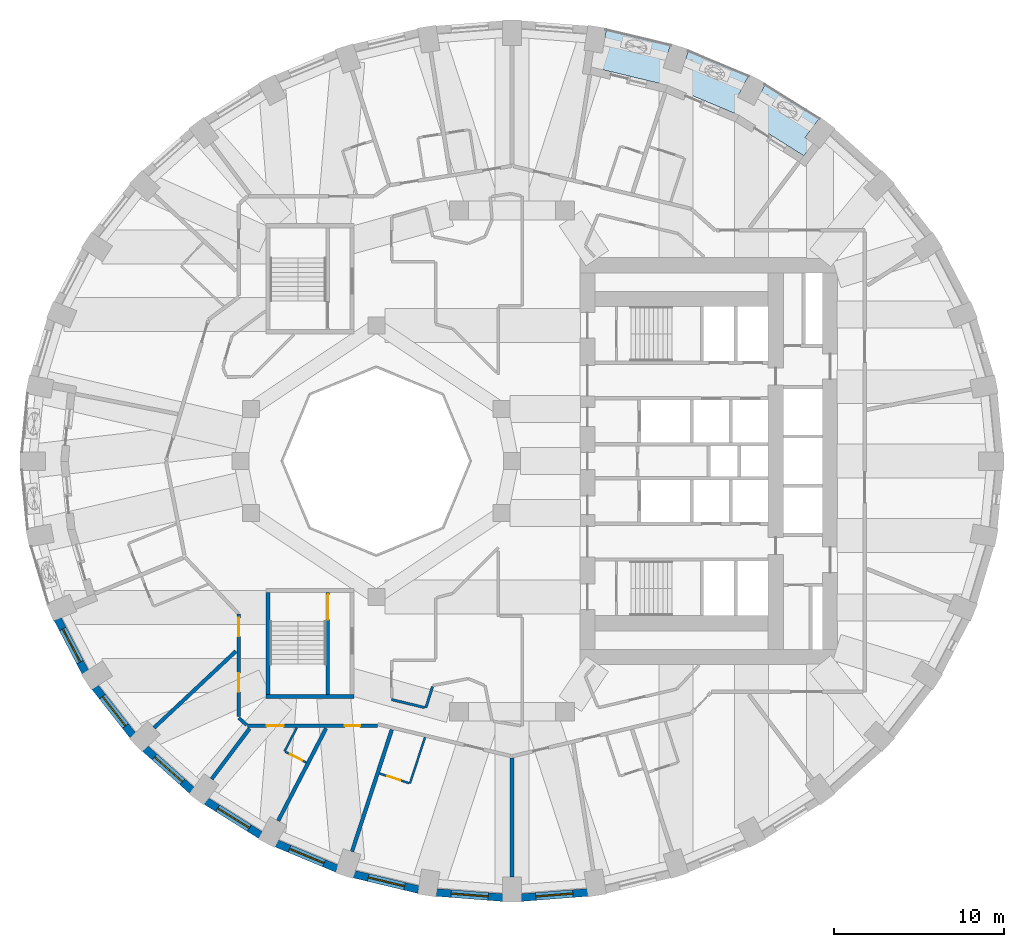
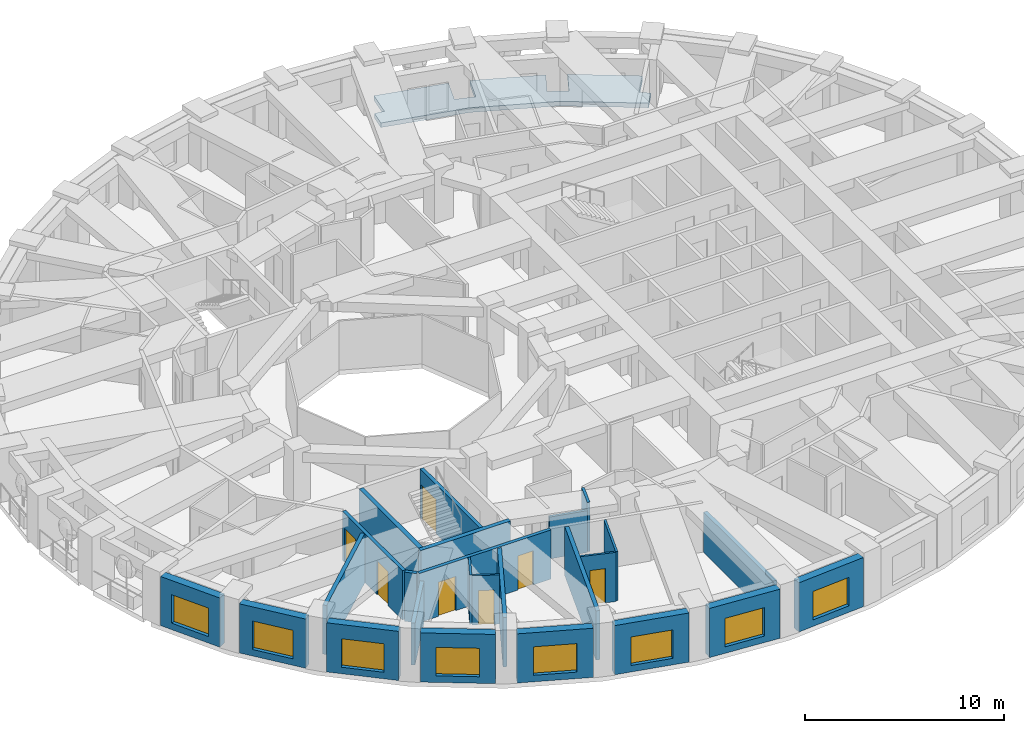
# One storey, part 3 of 14: 25 walls, 8 windows, 7 doors, 1 slab, 15 openings.
"""IFC4 building model written with IfcOpenShell, lengths in metres."""

from ifc_helpers import new_model, si_unit, direction, frame, frame_2d, origin, place, context, subcontext, project, spatial, polyline, rectangle, outline, extrude, material, layer, layer_set, type_object, element, fill, save


model = new_model("IFC4")

# Units and contexts
model_context = context("Model", 3, precision=1e-05, world=origin(), true_north=direction((0.0, 1.0)))
body_context = subcontext(model_context, "Body", "Model", "MODEL_VIEW")
ifc_project = project(units=[si_unit("LENGTHUNIT", "METRE"), si_unit("AREAUNIT", "SQUARE_METRE"), si_unit("VOLUMEUNIT", "CUBIC_METRE"), si_unit("PLANEANGLEUNIT", "RADIAN"), si_unit("MASSUNIT", "GRAM", prefix="KILO")], contexts=[model_context])

# Site, building, storey
site_placement = place(None, origin())
site = spatial("IfcSite", under=ifc_project, at=site_placement, CompositionType="ELEMENT")
building_placement = place(site_placement, origin())
building = spatial("IfcBuilding", under=site, at=building_placement, Name="Taillehof Tower", CompositionType="ELEMENT")
storey_placement = place(building_placement, frame((0.0, 0.0, 25.0)))
storey = spatial("IfcBuildingStorey", under=building, at=storey_placement, Name="L05", CompositionType="ELEMENT", Elevation=25.0)

# Slab
ifc_material_1 = material(Name="Concrete C40/50", Category="concrete")
ifc_layer_1 = layer(ifc_material_1, 0.280029296875)
ifc_layer_set_1 = layer_set([ifc_layer_1], Name="Balcony slab 280")
slab_type = type_object("IfcSlabType", Name="Balcony slab 280", PredefinedType="USERDEFINED", material=ifc_layer_set_1)
slab_placement = place(storey_placement, frame((0.0, 0.0, -0.280029296875)))
element("IfcSlab", 1, at=slab_placement, inside=storey, type_object=slab_type, Name="Balcony L05 pocket 1", ObjectType="BALCONY", PredefinedType="USERDEFINED", context=body_context, shape_type="SweptSolid", body=[
    extrude(outline(polyline([(4.6611328125, 23.234375), (4.801513671875, 24.12353515625), (5.331787109375, 24.039794921875), (5.559326171875, 25.479248046875), (9.357421875, 24.56689453125), (8.906494140625, 23.184814453125), (9.9521484375, 22.843505859375), (10.404296875, 24.22900390625), (13.958984375, 22.742919921875), (13.291748046875, 21.453857421875), (14.2685546875, 20.9482421875), (14.938232421875, 22.24169921875), (18.139404296875, 20.23193359375), (17.268310546875, 19.073974609375), (17.73974609375, 18.71923828125), (17.197998046875, 17.999267578125), (13.396728515625, 20.38525390625), (9.174072265625, 22.150390625), (4.6611328125, 23.234375)])), origin(), (0.0, 0.0, 1.0), 0.280029296875),
])

# Wall, opening, window
ifc_material_2 = material(Name="Brick masonry", Category="masonry")
ifc_layer_2 = layer(ifc_material_2, 0.449951171875)
ifc_layer_set_2 = layer_set([ifc_layer_2], Name="Brick infill wall 450")
wall_type_1 = type_object("IfcWallType", Name="Brick infill wall 450", PredefinedType="SOLIDWALL", material=ifc_layer_set_2)
wall_1_placement = place(storey_placement, frame((-26.78564453125, -9.30517578125, 0.0), z_axis=(0.0, 0.0, 1.0), x_axis=(0.462492775226, -0.886623050041, 0.0)))
wall_1 = element("IfcWall", 2, at=wall_1_placement, inside=storey, type_object=wall_type_1, Name="Brick wall L05 bay 21", PredefinedType="SOLIDWALL", context=body_context, shape_type="SweptSolid", body=[
    extrude(rectangle(XDim=3.531982421875, YDim=0.449951171875, at=frame_2d((1.76611328125, 0.0))), origin(), (0.0, 0.0, 1.0), 3.02001953125),
])
opening_1_placement = place(wall_1_placement, frame((0.666015625, 0.0, 0.39990234375)))
opening_1 = element("IfcOpeningElement", 3, at=opening_1_placement, cuts=wall_1, Name="Opening W1", PredefinedType="OPENING", context=body_context, shape_type="SweptSolid", body=[
    extrude(rectangle(XDim=2.199951171875, YDim=1.75, at=frame_2d((1.10009765625, 0.875))), frame((0.0, 0.23486328125, 0.0), z_axis=(0.0, -1.0, 0.0), x_axis=(1.0, 0.0, 0.0)), (0.0, 0.0, 1.0), 0.469970703125),
])
ifc_material_3 = material(Name="Aluminium window frame with clear double glazing", Category="aluminium")
window_type = type_object("IfcWindowType", Name="Deep-set window 2200x1750", PartitioningType="SINGLE_PANEL", PredefinedType="WINDOW", material=ifc_material_3)
window_1_placement = place(opening_1_placement, origin())
window_1 = element("IfcWindow", 4, at=window_1_placement, inside=storey, type_object=window_type, Name="W1", OverallHeight=1.75, OverallWidth=2.199951171875, PartitioningType="SINGLE_PANEL", PredefinedType="WINDOW", context=body_context, shape_type="SweptSolid", body=[
    extrude(rectangle(XDim=2.199951171875, YDim=1.75, at=frame_2d((1.10009765625, 0.875))), frame((0.0, 0.034912109375, 0.0), z_axis=(0.0, -1.0, 0.0), x_axis=(1.0, 0.0, 0.0)), (0.0, 0.0, 1.0), 0.06005859375),
])
fill(opening_1, window_1)

wall_2_placement = place(storey_placement, frame((-24.57763671875, -13.327880859375, 0.0), z_axis=(0.0, 0.0, 1.0), x_axis=(0.616661975264, -0.787228053529, 0.0)))
wall_2 = element("IfcWall", 5, at=wall_2_placement, inside=storey, type_object=wall_type_1, Name="Brick wall L05 bay 22", PredefinedType="SOLIDWALL", context=body_context, shape_type="SweptSolid", body=[
    extrude(rectangle(XDim=3.60986328125, YDim=0.449951171875, at=frame_2d((1.804931640625, 0.0))), origin(), (0.0, 0.0, 1.0), 3.02001953125),
])
opening_2_placement = place(wall_2_placement, frame((0.704833984375, 0.0, 0.39990234375)))
opening_2 = element("IfcOpeningElement", 6, at=opening_2_placement, cuts=wall_2, Name="Opening W1", PredefinedType="OPENING", context=body_context, shape_type="SweptSolid", body=[
    extrude(rectangle(XDim=2.199951171875, YDim=1.75, at=frame_2d((1.10009765625, 0.875))), frame((0.0, 0.23486328125, 0.0), z_axis=(0.0, -1.0, 0.0), x_axis=(1.0, 0.0, 0.0)), (0.0, 0.0, 1.0), 0.469970703125),
])
window_2_placement = place(opening_2_placement, origin())
window_2 = element("IfcWindow", 7, at=window_2_placement, inside=storey, type_object=window_type, Name="W1", OverallHeight=1.75, OverallWidth=2.199951171875, PartitioningType="SINGLE_PANEL", PredefinedType="WINDOW", context=body_context, shape_type="SweptSolid", body=[
    extrude(rectangle(XDim=2.199951171875, YDim=1.75, at=frame_2d((1.10009765625, 0.875))), frame((0.0, 0.034912109375, 0.0), z_axis=(0.0, -1.0, 0.0), x_axis=(1.0, 0.0, 0.0)), (0.0, 0.0, 1.0), 0.06005859375),
])
fill(opening_2, window_2)

wall_3_placement = place(storey_placement, frame((-21.626708984375, -16.943115234375, 0.0), z_axis=(0.0, 0.0, 1.0), x_axis=(0.745526233716, -0.66647628228, 0.0)))
wall_3 = element("IfcWall", 8, at=wall_3_placement, inside=storey, type_object=wall_type_1, Name="Brick wall L05 bay 23", PredefinedType="SOLIDWALL", context=body_context, shape_type="SweptSolid", body=[
    extrude(rectangle(XDim=3.69677734375, YDim=0.449951171875, at=frame_2d((1.848388671875, 0.0))), origin(), (0.0, 0.0, 1.0), 3.02001953125),
])
opening_3_placement = place(wall_3_placement, frame((0.74853515625, 0.0, 0.39990234375)))
opening_3 = element("IfcOpeningElement", 9, at=opening_3_placement, cuts=wall_3, Name="Opening W1", PredefinedType="OPENING", context=body_context, shape_type="SweptSolid", body=[
    extrude(rectangle(XDim=2.199951171875, YDim=1.75, at=frame_2d((1.10009765625, 0.875))), frame((0.0, 0.23486328125, 0.0), z_axis=(0.0, -1.0, 0.0), x_axis=(1.0, 0.0, 0.0)), (0.0, 0.0, 1.0), 0.469970703125),
])
window_3_placement = place(opening_3_placement, origin())
window_3 = element("IfcWindow", 10, at=window_3_placement, inside=storey, type_object=window_type, Name="W1", OverallHeight=1.75, OverallWidth=2.199951171875, PartitioningType="SINGLE_PANEL", PredefinedType="WINDOW", context=body_context, shape_type="SweptSolid", body=[
    extrude(rectangle(XDim=2.199951171875, YDim=1.75, at=frame_2d((1.10009765625, 0.875))), frame((0.0, 0.034912109375, 0.0), z_axis=(0.0, -1.0, 0.0), x_axis=(1.0, 0.0, 0.0)), (0.0, 0.0, 1.0), 0.06005859375),
])
fill(opening_3, window_3)

wall_4_placement = place(storey_placement, frame((-18.02294921875, -20.043701171875, 0.0), z_axis=(0.0, 0.0, 1.0), x_axis=(0.847635480093, -0.530579016629, 0.0)))
wall_4 = element("IfcWall", 11, at=wall_4_placement, inside=storey, type_object=wall_type_1, Name="Brick wall L05 bay 24", PredefinedType="SOLIDWALL", context=body_context, shape_type="SweptSolid", body=[
    extrude(rectangle(XDim=3.782470703125, YDim=0.449951171875, at=frame_2d((1.89111328125, 0.0))), origin(), (0.0, 0.0, 1.0), 3.02001953125),
])
opening_4_placement = place(wall_4_placement, frame((0.791259765625, 0.0, 0.39990234375)))
opening_4 = element("IfcOpeningElement", 12, at=opening_4_placement, cuts=wall_4, Name="Opening W1", PredefinedType="OPENING", context=body_context, shape_type="SweptSolid", body=[
    extrude(rectangle(XDim=2.199951171875, YDim=1.75, at=frame_2d((1.10009765625, 0.875))), frame((0.0, 0.23486328125, 0.0), z_axis=(0.0, -1.0, 0.0), x_axis=(1.0, 0.0, 0.0)), (0.0, 0.0, 1.0), 0.469970703125),
])
window_4_placement = place(opening_4_placement, origin())
window_4 = element("IfcWindow", 13, at=window_4_placement, inside=storey, type_object=window_type, Name="W1", OverallHeight=1.75, OverallWidth=2.199951171875, PartitioningType="SINGLE_PANEL", PredefinedType="WINDOW", context=body_context, shape_type="SweptSolid", body=[
    extrude(rectangle(XDim=2.199951171875, YDim=1.75, at=frame_2d((1.10009765625, 0.875))), frame((0.0, 0.034912109375, 0.0), z_axis=(0.0, -1.0, 0.0), x_axis=(1.0, 0.0, 0.0)), (0.0, 0.0, 1.0), 0.06005859375),
])
fill(opening_4, window_4)

wall_5_placement = place(storey_placement, frame((-13.875, -22.537353515625, 0.0), z_axis=(0.0, 0.0, 1.0), x_axis=(0.923031964282, -0.384723267966, 0.0)))
wall_5 = element("IfcWall", 14, at=wall_5_placement, inside=storey, type_object=wall_type_1, Name="Brick wall L05 bay 25", PredefinedType="SOLIDWALL", context=body_context, shape_type="SweptSolid", body=[
    extrude(rectangle(XDim=3.8564453125, YDim=0.449951171875, at=frame_2d((1.92822265625, 0.0))), origin(), (0.0, 0.0, 1.0), 3.02001953125),
])
opening_5_placement = place(wall_5_placement, frame((0.828125, 0.0, 0.39990234375)))
opening_5 = element("IfcOpeningElement", 15, at=opening_5_placement, cuts=wall_5, Name="Opening W1", PredefinedType="OPENING", context=body_context, shape_type="SweptSolid", body=[
    extrude(rectangle(XDim=2.199951171875, YDim=1.75, at=frame_2d((1.10009765625, 0.875))), frame((0.0, 0.23486328125, 0.0), z_axis=(0.0, -1.0, 0.0), x_axis=(1.0, 0.0, 0.0)), (0.0, 0.0, 1.0), 0.469970703125),
])
window_5_placement = place(opening_5_placement, origin())
window_5 = element("IfcWindow", 16, at=window_5_placement, inside=storey, type_object=window_type, Name="W1", OverallHeight=1.75, OverallWidth=2.199951171875, PartitioningType="SINGLE_PANEL", PredefinedType="WINDOW", context=body_context, shape_type="SweptSolid", body=[
    extrude(rectangle(XDim=2.199951171875, YDim=1.75, at=frame_2d((1.10009765625, 0.875))), frame((0.0, 0.034912109375, 0.0), z_axis=(0.0, -1.0, 0.0), x_axis=(1.0, 0.0, 0.0)), (0.0, 0.0, 1.0), 0.06005859375),
])
fill(opening_5, window_5)

wall_6_placement = place(storey_placement, frame((-9.3076171875, -24.349609375, 0.0), z_axis=(0.0, 0.0, 1.0), x_axis=(0.972496561493, -0.232917233979, 0.0)))
wall_6 = element("IfcWall", 17, at=wall_6_placement, inside=storey, type_object=wall_type_1, Name="Brick wall L05 bay 26", PredefinedType="SOLIDWALL", context=body_context, shape_type="SweptSolid", body=[
    extrude(rectangle(XDim=3.910888671875, YDim=0.449951171875, at=frame_2d((1.95556640625, 0.0))), origin(), (0.0, 0.0, 1.0), 3.02001953125),
])
opening_6_placement = place(wall_6_placement, frame((0.855224609375, 0.0, 0.39990234375)))
opening_6 = element("IfcOpeningElement", 18, at=opening_6_placement, cuts=wall_6, Name="Opening W1", PredefinedType="OPENING", context=body_context, shape_type="SweptSolid", body=[
    extrude(rectangle(XDim=2.199951171875, YDim=1.75, at=frame_2d((1.10009765625, 0.875))), frame((0.0, 0.23486328125, 0.0), z_axis=(0.0, -1.0, 0.0), x_axis=(1.0, 0.0, 0.0)), (0.0, 0.0, 1.0), 0.469970703125),
])
window_6_placement = place(opening_6_placement, origin())
window_6 = element("IfcWindow", 19, at=window_6_placement, inside=storey, type_object=window_type, Name="W1", OverallHeight=1.75, OverallWidth=2.199951171875, PartitioningType="SINGLE_PANEL", PredefinedType="WINDOW", context=body_context, shape_type="SweptSolid", body=[
    extrude(rectangle(XDim=2.199951171875, YDim=1.75, at=frame_2d((1.10009765625, 0.875))), frame((0.0, 0.034912109375, 0.0), z_axis=(0.0, -1.0, 0.0), x_axis=(1.0, 0.0, 0.0)), (0.0, 0.0, 1.0), 0.06005859375),
])
fill(opening_6, window_6)

wall_7_placement = place(storey_placement, frame((-4.457275390625, -25.42578125, 0.0), z_axis=(0.0, 0.0, 1.0), x_axis=(0.996955972145, -0.077966592873, 0.0)))
wall_7 = element("IfcWall", 20, at=wall_7_placement, inside=storey, type_object=wall_type_1, Name="Brick wall L05 bay 27", PredefinedType="SOLIDWALL", context=body_context, shape_type="SweptSolid", body=[
    extrude(rectangle(XDim=3.939208984375, YDim=0.449951171875, at=frame_2d((1.9697265625, 0.0))), origin(), (0.0, 0.0, 1.0), 3.02001953125),
])
opening_7_placement = place(wall_7_placement, frame((0.86962890625, 0.0, 0.39990234375)))
opening_7 = element("IfcOpeningElement", 21, at=opening_7_placement, cuts=wall_7, Name="Opening W1", PredefinedType="OPENING", context=body_context, shape_type="SweptSolid", body=[
    extrude(rectangle(XDim=2.199951171875, YDim=1.75, at=frame_2d((1.10009765625, 0.875))), frame((0.0, 0.23486328125, 0.0), z_axis=(0.0, -1.0, 0.0), x_axis=(1.0, 0.0, 0.0)), (0.0, 0.0, 1.0), 0.469970703125),
])
window_7_placement = place(opening_7_placement, origin())
window_7 = element("IfcWindow", 22, at=window_7_placement, inside=storey, type_object=window_type, Name="W1", OverallHeight=1.75, OverallWidth=2.199951171875, PartitioningType="SINGLE_PANEL", PredefinedType="WINDOW", context=body_context, shape_type="SweptSolid", body=[
    extrude(rectangle(XDim=2.199951171875, YDim=1.75, at=frame_2d((1.10009765625, 0.875))), frame((0.0, 0.034912109375, 0.0), z_axis=(0.0, -1.0, 0.0), x_axis=(1.0, 0.0, 0.0)), (0.0, 0.0, 1.0), 0.06005859375),
])
fill(opening_7, window_7)

wall_8_placement = place(storey_placement, frame((0.530029296875, -25.73291015625, 0.0), z_axis=(0.0, 0.0, 1.0), x_axis=(0.996955972145, 0.077966592873, 0.0)))
wall_8 = element("IfcWall", 23, at=wall_8_placement, inside=storey, type_object=wall_type_1, Name="Brick wall L05 bay 28", PredefinedType="SOLIDWALL", context=body_context, shape_type="SweptSolid", body=[
    extrude(rectangle(XDim=3.939208984375, YDim=0.449951171875, at=frame_2d((1.9697265625, 0.0))), origin(), (0.0, 0.0, 1.0), 3.02001953125),
])
opening_8_placement = place(wall_8_placement, frame((0.86962890625, 0.0, 0.39990234375)))
opening_8 = element("IfcOpeningElement", 24, at=opening_8_placement, cuts=wall_8, Name="Opening W1", PredefinedType="OPENING", context=body_context, shape_type="SweptSolid", body=[
    extrude(rectangle(XDim=2.199951171875, YDim=1.75, at=frame_2d((1.10009765625, 0.875))), frame((0.0, 0.23486328125, 0.0), z_axis=(0.0, -1.0, 0.0), x_axis=(1.0, 0.0, 0.0)), (0.0, 0.0, 1.0), 0.469970703125),
])
window_8_placement = place(opening_8_placement, origin())
window_8 = element("IfcWindow", 25, at=window_8_placement, inside=storey, type_object=window_type, Name="W1", OverallHeight=1.75, OverallWidth=2.199951171875, PartitioningType="SINGLE_PANEL", PredefinedType="WINDOW", context=body_context, shape_type="SweptSolid", body=[
    extrude(rectangle(XDim=2.199951171875, YDim=1.75, at=frame_2d((1.10009765625, 0.875))), frame((0.0, 0.034912109375, 0.0), z_axis=(0.0, -1.0, 0.0), x_axis=(1.0, 0.0, 0.0)), (0.0, 0.0, 1.0), 0.06005859375),
])
fill(opening_8, window_8)

# Wall, openings, doors
ifc_material_4 = material(Name="Gypsum board on steel studs, two layers each side", Category="steel")
ifc_layer_3 = layer(ifc_material_4, 0.199951171875)
ifc_layer_set_3 = layer_set([ifc_layer_3], Name="Compartment wall corridor 200")
wall_type_2 = type_object("IfcWallType", Name="Compartment wall corridor 200", PredefinedType="PARTITIONING", material=ifc_layer_set_3)
wall_9_placement = place(storey_placement, frame((-7.919921875, -15.60009765625, 0.0), z_axis=(0.0, 0.0, 1.0), x_axis=(-1.0, 0.0, 0.0)))
wall_9 = element("IfcWall", 26, at=wall_9_placement, inside=storey, type_object=wall_type_2, Name="Compartment wall", PredefinedType="PARTITIONING", context=body_context, shape_type="SweptSolid", body=[
    extrude(rectangle(XDim=7.671630859375, YDim=0.199951171875, at=frame_2d((3.8359375, 0.0))), origin(), (0.0, 0.0, 1.0), 3.02001953125),
])
opening_9_placement = place(wall_9_placement, frame((5.537353515625, 0.0, 0.0)))
opening_9 = element("IfcOpeningElement", 27, at=opening_9_placement, cuts=wall_9, Name="Opening D0559", PredefinedType="OPENING", context=body_context, shape_type="SweptSolid", body=[
    extrude(rectangle(XDim=1.0, YDim=2.10009765625, at=frame_2d((0.5, 1.050048828125))), frame((0.0, 0.10986328125, 0.0), z_axis=(0.0, -1.0, 0.0), x_axis=(1.0, 0.0, 0.0)), (0.0, 0.0, 1.0), 0.219970703125),
])
opening_10_placement = place(wall_9_placement, frame((1.0361328125, 0.0, 0.0)))
opening_10 = element("IfcOpeningElement", 28, at=opening_10_placement, cuts=wall_9, Name="Opening D0561", PredefinedType="OPENING", context=body_context, shape_type="SweptSolid", body=[
    extrude(rectangle(XDim=0.89990234375, YDim=2.10009765625, at=frame_2d((0.449951171875, 1.050048828125))), frame((0.0, 0.10986328125, 0.0), z_axis=(0.0, -1.0, 0.0), x_axis=(1.0, 0.0, 0.0)), (0.0, 0.0, 1.0), 0.219970703125),
])
ifc_material_5 = material(Name="Timber door leaf in steel frame", Category="steel")
door_type_1 = type_object("IfcDoorType", Name="Guest room door EI 30 1000 x 2100", OperationType="SINGLE_SWING_LEFT", PredefinedType="DOOR", material=ifc_material_5)
door_1_placement = place(opening_9_placement, origin())
door_1 = element("IfcDoor", 29, at=door_1_placement, inside=storey, type_object=door_type_1, Name="D0559", OperationType="SINGLE_SWING_LEFT", OverallHeight=2.10009765625, OverallWidth=1.0, PredefinedType="DOOR", context=body_context, shape_type="SweptSolid", body=[
    extrude(rectangle(XDim=1.0, YDim=2.10009765625, at=frame_2d((0.5, 1.050048828125))), frame((0.0, 0.02490234375, 0.0), z_axis=(0.0, -1.0, 0.0), x_axis=(1.0, 0.0, 0.0)), (0.0, 0.0, 1.0), 0.050048828125),
])
fill(opening_9, door_1)
ifc_material_6 = material(Name="Timber door leaf in steel frame", Category="steel")
door_type_2 = type_object("IfcDoorType", Name="Service room door EI 30 900 x 2100", OperationType="SINGLE_SWING_LEFT", PredefinedType="DOOR", material=ifc_material_6)
door_2_placement = place(opening_10_placement, origin())
door_2 = element("IfcDoor", 30, at=door_2_placement, inside=storey, type_object=door_type_2, Name="D0561", OperationType="SINGLE_SWING_RIGHT", OverallHeight=2.10009765625, OverallWidth=0.89990234375, PredefinedType="DOOR", context=body_context, shape_type="SweptSolid", body=[
    extrude(rectangle(XDim=0.89990234375, YDim=2.10009765625, at=frame_2d((0.449951171875, 1.050048828125))), frame((0.0, 0.02490234375, 0.0), z_axis=(0.0, -1.0, 0.0), x_axis=(1.0, 0.0, 0.0)), (0.0, 0.0, 1.0), 0.050048828125),
])
fill(opening_10, door_2)

# Wall
wall_10_placement = place(storey_placement, frame((-15.63623046875, -15.559814453125, 0.0), z_axis=(0.0, 0.0, 1.0), x_axis=(-0.744656758283, 0.667447610187, 0.0)))
element("IfcWall", 31, at=wall_10_placement, inside=storey, type_object=wall_type_2, Name="Compartment wall", PredefinedType="PARTITIONING", context=body_context, shape_type="SweptSolid", body=[
    extrude(rectangle(XDim=0.623046875, YDim=0.199951171875, at=frame_2d((0.3115234375, 0.0))), origin(), (0.0, 0.0, 1.0), 3.02001953125),
])

# Wall, openings, doors
wall_11_placement = place(storey_placement, frame((-16.10009765625, -15.06396484375, 0.0), z_axis=(0.0, 0.0, 1.0), x_axis=(0.0, 1.0, 0.0)))
wall_11 = element("IfcWall", 32, at=wall_11_placement, inside=storey, type_object=wall_type_2, Name="Compartment wall", PredefinedType="PARTITIONING", context=body_context, shape_type="SweptSolid", body=[
    extrude(rectangle(XDim=6.046875, YDim=0.199951171875, at=frame_2d((3.0234375, 0.0))), origin(), (0.0, 0.0, 1.0), 3.02001953125),
])
opening_11_placement = place(wall_11_placement, frame((4.726806640625, 0.0, 0.0)))
opening_11 = element("IfcOpeningElement", 33, at=opening_11_placement, cuts=wall_11, Name="Opening D0556", PredefinedType="OPENING", context=body_context, shape_type="SweptSolid", body=[
    extrude(rectangle(XDim=1.10009765625, YDim=2.10009765625, at=frame_2d((0.550048828125, 1.050048828125))), frame((0.0, 0.10986328125, 0.0), z_axis=(0.0, -1.0, 0.0), x_axis=(1.0, 0.0, 0.0)), (0.0, 0.0, 1.0), 0.219970703125),
])
opening_12_placement = place(wall_11_placement, frame((1.466552734375, 0.0, 0.0)))
opening_12 = element("IfcOpeningElement", 34, at=opening_12_placement, cuts=wall_11, Name="Opening D0558", PredefinedType="OPENING", context=body_context, shape_type="SweptSolid", body=[
    extrude(rectangle(XDim=1.10009765625, YDim=2.10009765625, at=frame_2d((0.550048828125, 1.050048828125))), frame((0.0, 0.10986328125, 0.0), z_axis=(0.0, -1.0, 0.0), x_axis=(1.0, 0.0, 0.0)), (0.0, 0.0, 1.0), 0.219970703125),
])
ifc_material_7 = material(Name="Timber door leaf in steel frame", Category="steel")
door_type_3 = type_object("IfcDoorType", Name="Suite entrance door EI 30 1100 x 2100", OperationType="SINGLE_SWING_LEFT", PredefinedType="DOOR", material=ifc_material_7)
door_3_placement = place(opening_11_placement, origin())
door_3 = element("IfcDoor", 35, at=door_3_placement, inside=storey, type_object=door_type_3, Name="D0556", OperationType="SINGLE_SWING_RIGHT", OverallHeight=2.10009765625, OverallWidth=1.10009765625, PredefinedType="DOOR", context=body_context, shape_type="SweptSolid", body=[
    extrude(rectangle(XDim=1.10009765625, YDim=2.10009765625, at=frame_2d((0.550048828125, 1.050048828125))), frame((0.0, 0.02490234375, 0.0), z_axis=(0.0, -1.0, 0.0), x_axis=(1.0, 0.0, 0.0)), (0.0, 0.0, 1.0), 0.050048828125),
])
fill(opening_11, door_3)
door_4_placement = place(opening_12_placement, origin())
door_4 = element("IfcDoor", 36, at=door_4_placement, inside=storey, type_object=door_type_3, Name="D0558", OperationType="SINGLE_SWING_RIGHT", OverallHeight=2.10009765625, OverallWidth=1.10009765625, PredefinedType="DOOR", context=body_context, shape_type="SweptSolid", body=[
    extrude(rectangle(XDim=1.10009765625, YDim=2.10009765625, at=frame_2d((0.550048828125, 1.050048828125))), frame((0.0, 0.02490234375, 0.0), z_axis=(0.0, -1.0, 0.0), x_axis=(1.0, 0.0, 0.0)), (0.0, 0.0, 1.0), 0.050048828125),
])
fill(opening_12, door_4)

# Walls
ifc_material_8 = material(Name="Gypsum board on double steel studs with mineral wool", Category="steel")
ifc_layer_4 = layer(ifc_material_8, 0.219970703125)
ifc_layer_set_4 = layer_set([ifc_layer_4], Name="Compartment wall guest room 220")
wall_type_3 = type_object("IfcWallType", Name="Compartment wall guest room 220", PredefinedType="PARTITIONING", material=ifc_layer_set_4)
wall_12_placement = place(storey_placement, frame((-21.09326171875, -15.7177734375, 0.0), z_axis=(0.0, 0.0, 1.0), x_axis=(0.73009284205, 0.683347965525, 0.0)))
element("IfcWall", 37, at=wall_12_placement, inside=storey, type_object=wall_type_3, Name="Compartment wall", PredefinedType="PARTITIONING", context=body_context, shape_type="SweptSolid", body=[
    extrude(rectangle(XDim=6.6015625, YDim=0.219970703125, at=frame_2d((3.30078125, 0.0))), origin(), (0.0, 0.0, 1.0), 3.02001953125),
])
wall_13_placement = place(storey_placement, frame((-17.707763671875, -18.7431640625, 0.0), z_axis=(0.0, 0.0, 1.0), x_axis=(0.601172757903, 0.799119086967, 0.0)))
element("IfcWall", 38, at=wall_13_placement, inside=storey, type_object=wall_type_3, Name="Compartment wall", PredefinedType="PARTITIONING", context=body_context, shape_type="SweptSolid", body=[
    extrude(rectangle(XDim=3.728515625, YDim=0.219970703125, at=frame_2d((1.8642578125, 0.0))), origin(), (0.0, 0.0, 1.0), 2.570068359375),
])
wall_14_placement = place(storey_placement, frame((-13.7802734375, -21.201171875, 0.0), z_axis=(0.0, 0.0, 1.0), x_axis=(0.459699000582, 0.888074787878, 0.0)))
element("IfcWall", 39, at=wall_14_placement, inside=storey, type_object=wall_type_3, Name="Compartment wall", PredefinedType="PARTITIONING", context=body_context, shape_type="SweptSolid", body=[
    extrude(rectangle(XDim=6.134033203125, YDim=0.219970703125, at=frame_2d((3.06689453125, 0.0))), origin(), (0.0, 0.0, 1.0), 3.02001953125),
])
wall_15_placement = place(storey_placement, frame((-9.429443359375, -23.01416015625, 0.0), z_axis=(0.0, 0.0, 1.0), x_axis=(0.310261176215, 0.950651356983, 0.0)))
element("IfcWall", 40, at=wall_15_placement, inside=storey, type_object=wall_type_3, Name="Compartment wall", PredefinedType="PARTITIONING", context=body_context, shape_type="SweptSolid", body=[
    extrude(rectangle(XDim=7.557373046875, YDim=0.219970703125, at=frame_2d((3.77880859375, 0.0))), origin(), (0.0, 0.0, 1.0), 3.02001953125),
])
wall_16_placement = place(storey_placement, frame((0.0, -24.5, 0.0), z_axis=(0.0, 0.0, 1.0), x_axis=(0.0, 1.0, 0.0)))
element("IfcWall", 41, at=wall_16_placement, inside=storey, type_object=wall_type_3, Name="Compartment wall", PredefinedType="PARTITIONING", context=body_context, shape_type="SweptSolid", body=[
    extrude(rectangle(XDim=7.0, YDim=0.219970703125, at=frame_2d((3.5, 0.0))), origin(), (0.0, 0.0, 1.0), 2.469970703125),
])
ifc_material_9 = material(Name="Gypsum board on steel studs, two layers each side", Category="steel")
ifc_layer_5 = layer(ifc_material_9, 0.14990234375)
ifc_layer_set_5 = layer_set([ifc_layer_5], Name="Compartment wall service room 150")
wall_type_4 = type_object("IfcWallType", Name="Compartment wall service room 150", PredefinedType="PARTITIONING", material=ifc_layer_set_5)
wall_17_placement = place(storey_placement, frame((-4.683349609375, -13.289306640625, 0.0), z_axis=(0.0, 0.0, 1.0), x_axis=(-0.298931613931, -0.954274536071, 0.0)))
element("IfcWall", 42, at=wall_17_placement, inside=storey, type_object=wall_type_4, Name="Compartment wall", PredefinedType="PARTITIONING", context=body_context, shape_type="SweptSolid", body=[
    extrude(rectangle(XDim=1.3125, YDim=0.14990234375, at=frame_2d((0.65625, 0.0))), origin(), (0.0, 0.0, 1.0), 3.02001953125),
])
wall_18_placement = place(storey_placement, frame((-5.15380859375, -14.523193359375, 0.0), z_axis=(0.0, 0.0, 1.0), x_axis=(-0.97258848944, 0.232533073366, 0.0)))
element("IfcWall", 43, at=wall_18_placement, inside=storey, type_object=wall_type_4, Name="Compartment wall", PredefinedType="PARTITIONING", context=body_context, shape_type="SweptSolid", body=[
    extrude(rectangle(XDim=2.001220703125, YDim=0.14990234375, at=frame_2d((1.00048828125, 0.0))), origin(), (0.0, 0.0, 1.0), 2.570068359375),
])
ifc_material_10 = material(Name="Gypsum board on steel studs, moisture resistant", Category="steel")
ifc_layer_6 = layer(ifc_material_10, 0.1201171875)
ifc_layer_set_6 = layer_set([ifc_layer_6], Name="En-suite wall 120")
wall_type_5 = type_object("IfcWallType", Name="En-suite wall 120", PredefinedType="PARTITIONING", material=ifc_layer_set_6)
wall_19_placement = place(storey_placement, frame((-12.687255859375, -15.718017578125, 0.0), z_axis=(0.0, 0.0, 1.0), x_axis=(-0.459775159711, -0.888035361071, 0.0)))
element("IfcWall", 44, at=wall_19_placement, inside=storey, type_object=wall_type_5, Name="En-suite wall", PredefinedType="PARTITIONING", context=body_context, shape_type="SweptSolid", body=[
    extrude(rectangle(XDim=1.56494140625, YDim=0.1201171875, at=frame_2d((0.782470703125, 0.0))), origin(), (0.0, 0.0, 1.0), 3.02001953125),
])
wall_20_placement = place(storey_placement, frame((-5.127197265625, -16.27734375, 0.0), z_axis=(0.0, 0.0, 1.0), x_axis=(-0.310206676877, -0.950669142037, 0.0)))
element("IfcWall", 45, at=wall_20_placement, inside=storey, type_object=wall_type_5, Name="En-suite wall", PredefinedType="PARTITIONING", context=body_context, shape_type="SweptSolid", body=[
    extrude(rectangle(XDim=2.861572265625, YDim=0.1201171875, at=frame_2d((1.4306640625, 0.0))), origin(), (0.0, 0.0, 1.0), 3.02001953125),
])

# Wall, opening, door
wall_21_placement = place(storey_placement, frame((-13.353271484375, -17.135498046875, 0.0), z_axis=(0.0, 0.0, 1.0), x_axis=(0.888075681402, -0.459697274413, 0.0)))
wall_21 = element("IfcWall", 46, at=wall_21_placement, inside=storey, type_object=wall_type_5, Name="En-suite wall", PredefinedType="PARTITIONING", context=body_context, shape_type="SweptSolid", body=[
    extrude(rectangle(XDim=1.3798828125, YDim=0.1201171875, at=frame_2d((0.68994140625, 0.0))), origin(), (0.0, 0.0, 1.0), 3.02001953125),
])
opening_13_placement = place(wall_21_placement, frame((0.314697265625, 0.0, 0.0)))
opening_13 = element("IfcOpeningElement", 47, at=opening_13_placement, cuts=wall_21, Name="Opening D0560", PredefinedType="OPENING", context=body_context, shape_type="SweptSolid", body=[
    extrude(rectangle(XDim=0.800048828125, YDim=2.10009765625, at=frame_2d((0.39990234375, 1.050048828125))), frame((0.0, 0.070068359375, 0.0), z_axis=(0.0, -1.0, 0.0), x_axis=(1.0, 0.0, 0.0)), (0.0, 0.0, 1.0), 0.14013671875),
])
ifc_material_11 = material(Name="Timber door leaf in steel frame", Category="steel")
door_type_4 = type_object("IfcDoorType", Name="En-suite door 800 x 2100", OperationType="SINGLE_SWING_LEFT", PredefinedType="DOOR", material=ifc_material_11)
door_5_placement = place(opening_13_placement, origin())
door_5 = element("IfcDoor", 48, at=door_5_placement, inside=storey, type_object=door_type_4, Name="D0560", OperationType="SINGLE_SWING_RIGHT", OverallHeight=2.10009765625, OverallWidth=0.800048828125, PredefinedType="DOOR", context=body_context, shape_type="SweptSolid", body=[
    extrude(rectangle(XDim=0.800048828125, YDim=2.10009765625, at=frame_2d((0.39990234375, 1.050048828125))), frame((0.0, 0.02490234375, 0.0), z_axis=(0.0, -1.0, 0.0), x_axis=(1.0, 0.0, 0.0)), (0.0, 0.0, 1.0), 0.050048828125),
])
fill(opening_13, door_5)

wall_22_placement = place(storey_placement, frame((-6.072021484375, -18.979248046875, 0.0), z_axis=(0.0, 0.0, 1.0), x_axis=(-0.950678536911, 0.31017788357, 0.0)))
wall_22 = element("IfcWall", 49, at=wall_22_placement, inside=storey, type_object=wall_type_5, Name="En-suite wall", PredefinedType="PARTITIONING", context=body_context, shape_type="SweptSolid", body=[
    extrude(rectangle(XDim=1.830078125, YDim=0.1201171875, at=frame_2d((0.9150390625, 0.0))), origin(), (0.0, 0.0, 1.0), 3.02001953125),
])
opening_14_placement = place(wall_22_placement, frame((0.5400390625, 0.0, 0.0)))
opening_14 = element("IfcOpeningElement", 50, at=opening_14_placement, cuts=wall_22, Name="Opening D0563", PredefinedType="OPENING", context=body_context, shape_type="SweptSolid", body=[
    extrude(rectangle(XDim=0.800048828125, YDim=2.10009765625, at=frame_2d((0.39990234375, 1.050048828125))), frame((0.0, 0.070068359375, 0.0), z_axis=(0.0, -1.0, 0.0), x_axis=(1.0, 0.0, 0.0)), (0.0, 0.0, 1.0), 0.14013671875),
])
door_6_placement = place(opening_14_placement, origin())
door_6 = element("IfcDoor", 51, at=door_6_placement, inside=storey, type_object=door_type_4, Name="D0563", OperationType="SINGLE_SWING_RIGHT", OverallHeight=2.10009765625, OverallWidth=0.800048828125, PredefinedType="DOOR", context=body_context, shape_type="SweptSolid", body=[
    extrude(rectangle(XDim=0.800048828125, YDim=2.10009765625, at=frame_2d((0.39990234375, 1.050048828125))), frame((0.0, 0.02490234375, 0.0), z_axis=(0.0, -1.0, 0.0), x_axis=(1.0, 0.0, 0.0)), (0.0, 0.0, 1.0), 0.050048828125),
])
fill(opening_14, door_6)

ifc_material_12 = material(Name="Concrete C50/60", Category="concrete")
ifc_layer_7 = layer(ifc_material_12, 0.199951171875)
ifc_layer_set_7 = layer_set([ifc_layer_7], Name="Shaft wall C50/60 200")
wall_type_6 = type_object("IfcWallType", Name="Shaft wall C50/60 200", PredefinedType="SHEAR", material=ifc_layer_set_7)
wall_23_placement = place(storey_placement, frame((-10.85009765625, -13.75, 0.0), z_axis=(0.0, 0.0, 1.0), x_axis=(0.0, 1.0, 0.0)))
wall_23 = element("IfcWall", 52, at=wall_23_placement, inside=storey, type_object=wall_type_6, Name="Shaft wall SW", PredefinedType="SHEAR", context=body_context, shape_type="SweptSolid", body=[
    extrude(rectangle(XDim=6.0, YDim=0.199951171875, at=frame_2d((3.0, 0.0))), origin(), (0.0, 0.0, 1.0), 3.02001953125),
])
opening_15_placement = place(wall_23_placement, frame((4.39990234375, 0.0, 0.0)))
opening_15 = element("IfcOpeningElement", 53, at=opening_15_placement, cuts=wall_23, Name="Opening D0513", PredefinedType="OPENING", context=body_context, shape_type="SweptSolid", body=[
    extrude(rectangle(XDim=1.5, YDim=2.10009765625, at=frame_2d((0.75, 1.050048828125))), frame((0.0, 0.10986328125, 0.0), z_axis=(0.0, -1.0, 0.0), x_axis=(1.0, 0.0, 0.0)), (0.0, 0.0, 1.0), 0.219970703125),
])
ifc_material_13 = material(Name="Steel-faced fire door", Category="steel")
door_type_5 = type_object("IfcDoorType", Name="Stair door 1500x2100", OperationType="DOUBLE_DOOR_SINGLE_SWING", PredefinedType="DOOR", material=ifc_material_13)
door_7_placement = place(opening_15_placement, origin())
door_7 = element("IfcDoor", 54, at=door_7_placement, inside=storey, type_object=door_type_5, Name="Stair lobby door S4", OperationType="DOUBLE_DOOR_SINGLE_SWING", OverallHeight=2.10009765625, OverallWidth=1.5, PredefinedType="DOOR", context=body_context, shape_type="SweptSolid", body=[
    extrude(rectangle(XDim=1.5, YDim=2.10009765625, at=frame_2d((0.75, 1.050048828125))), frame((0.0, 0.02490234375, 0.0), z_axis=(0.0, -1.0, 0.0), x_axis=(1.0, 0.0, 0.0)), (0.0, 0.0, 1.0), 0.050048828125),
])
fill(opening_15, door_7)

# Walls
ifc_material_14 = material(Name="Concrete C50/60", Category="concrete")
ifc_layer_8 = layer(ifc_material_14, 0.25)
ifc_layer_set_8 = layer_set([ifc_layer_8], Name="Stair wall C50/60 250")
wall_type_7 = type_object("IfcWallType", Name="Stair wall C50/60 250", PredefinedType="SHEAR", material=ifc_layer_set_8)
wall_24_placement = place(storey_placement, frame((-14.375, -13.75, -0.280029296875), z_axis=(0.0, 0.0, 1.0), x_axis=(0.0, 1.0, 0.0)))
element("IfcWall", 55, at=wall_24_placement, inside=storey, type_object=wall_type_7, Name="Stair wall SC", PredefinedType="SHEAR", context=body_context, shape_type="SweptSolid", body=[
    extrude(rectangle(XDim=6.0, YDim=0.25, at=frame_2d((3.0, 0.0))), origin(), (0.0, 0.0, 1.0), 3.300048828125),
])
wall_25_placement = place(storey_placement, frame((-14.5, -13.875, -0.280029296875), z_axis=(0.0, 0.0, 1.0), x_axis=(1.0, 0.0, 0.0)))
element("IfcWall", 56, at=wall_25_placement, inside=storey, type_object=wall_type_7, Name="Stair wall SC", PredefinedType="SHEAR", context=body_context, shape_type="SweptSolid", body=[
    extrude(rectangle(XDim=5.199951171875, YDim=0.25, at=frame_2d((2.60009765625, 0.0))), origin(), (0.0, 0.0, 1.0), 3.300048828125),
])

save(model, "model.ifc")
